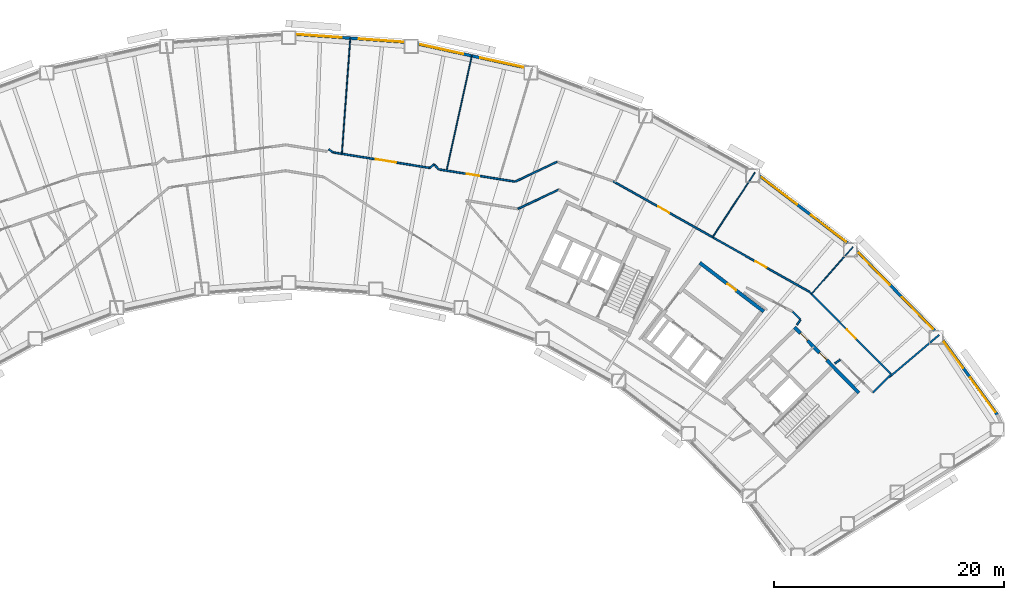
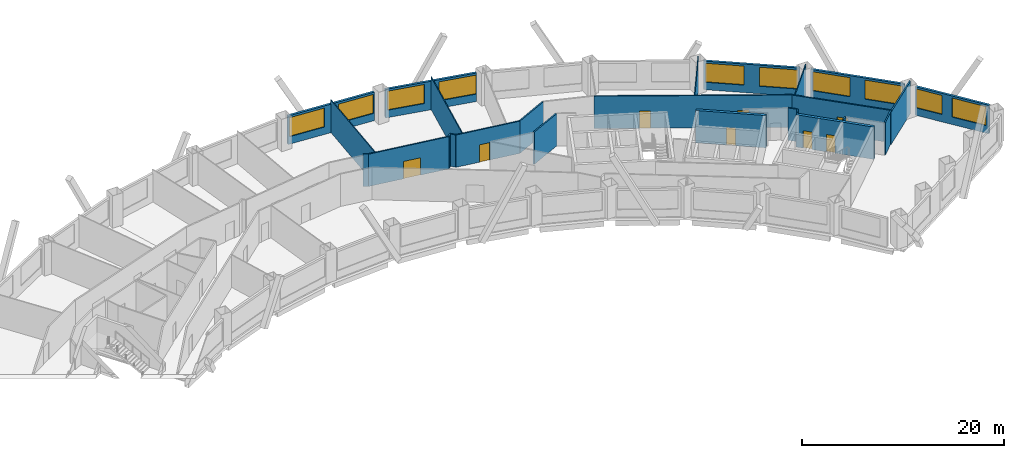
# One storey, part 8 of 12: 25 walls, 10 windows, 8 doors, 18 openings.
"""IFC4 building model written with IfcOpenShell, lengths in metres."""

import ifcopenshell
import ifcopenshell.guid

model = None  # the IFC model being written
_history = None  # IfcOwnerHistory: only IFC2X3 demands one
_inside = {}  # id of a spatial element -> (the spatial element, [elements in it])
_under = {}  # id of a project, library or spatial element -> (it, [spatial elements below it])
_declared = {}  # id of a project -> (the project, [libraries it declares])
_typed = {}  # id of a type object -> (the type object, [elements of that type])
_made_of = {}  # id of a material, layer set ... -> (it, [elements and type objects made of it])


def new_model(schema):
    """Start an empty IFC model of exactly this schema.

    Asked for "IFC4X3", IfcOpenShell would pick the latest addendum, in which some entities
    have other attributes; the version numbers below select the first issue.
    IFC2X3 requires an IfcOwnerHistory on every rooted entity: one is made here for all.
    """
    global model, _history
    if schema == "IFC4X3":
        model = ifcopenshell.file(schema_version=(4, 3, 0, 0))
    else:
        model = ifcopenshell.file(schema=schema)
    _inside.clear()
    _under.clear()
    _declared.clear()
    _typed.clear()
    _made_of.clear()
    _history = None
    if model.schema == "IFC2X3":
        org = make("IfcOrganization", Name="unknown")
        user = make(
            "IfcPersonAndOrganization",
            ThePerson=make("IfcPerson", FamilyName="unknown"),
            TheOrganization=org,
        )
        app = make(
            "IfcApplication",
            ApplicationDeveloper=org,
            Version="unknown",
            ApplicationFullName="unknown",
            ApplicationIdentifier="unknown",
        )
        _history = make(
            "IfcOwnerHistory",
            OwningUser=user,
            OwningApplication=app,
            ChangeAction="ADDED",
            CreationDate=0,
        )
    return model


def make(cls, **values):
    """One entity of the class cls with the attributes given. An attribute that is None is left unset."""
    return model.create_entity(
        cls, **{name: value for name, value in values.items() if value is not None}
    )


def rooted(cls, **values):
    """An entity with a GlobalId (a new one), such as an element, a storey or a relation."""
    return make(cls, GlobalId=ifcopenshell.guid.new(), OwnerHistory=_history, **values)


def si_unit(unit_type, name, prefix=None):
    """IfcSIUnit, for example si_unit("LENGTHUNIT", "METRE", prefix="MILLI")."""
    return make("IfcSIUnit", UnitType=unit_type, Prefix=prefix, Name=name)


def assignment(units):
    """IfcUnitAssignment: the units of a project."""
    return None if units is None else make("IfcUnitAssignment", Units=units)


def point(xyz):
    """IfcCartesianPoint."""
    return None if xyz is None else make("IfcCartesianPoint", Coordinates=xyz)


def direction(xyz):
    """IfcDirection."""
    return None if xyz is None else make("IfcDirection", DirectionRatios=xyz)


def frame(location, z_axis=None, x_axis=None):
    """IfcAxis2Placement3D, a coordinate frame: its origin and axes. An axis left out is left unset."""
    return make(
        "IfcAxis2Placement3D",
        Location=point(location),
        Axis=direction(z_axis),
        RefDirection=direction(x_axis),
    )


def frame_2d(location, x_axis=None):
    """IfcAxis2Placement2D, a coordinate frame in the plane: its origin and x axis."""
    return make(
        "IfcAxis2Placement2D", Location=point(location), RefDirection=direction(x_axis)
    )


def origin():
    """The frame at (0, 0, 0) with its axes left unset."""
    return frame((0.0, 0.0, 0.0))


def place(relative_to, where):
    """IfcLocalPlacement: puts the frame where relative to a parent placement (None: the world)."""
    return make(
        "IfcLocalPlacement", PlacementRelTo=relative_to, RelativePlacement=where
    )


def context(
    kind, dimensions, precision=None, world=None, true_north=None, identifier=None
):
    """IfcGeometricRepresentationContext, for example the 3D "Model" context."""
    return make(
        "IfcGeometricRepresentationContext",
        ContextIdentifier=identifier,
        ContextType=kind,
        CoordinateSpaceDimension=dimensions,
        Precision=precision,
        WorldCoordinateSystem=world,
        TrueNorth=true_north,
    )


def subcontext(parent, identifier, kind, view, scale=None):
    """IfcGeometricRepresentationSubContext, for example "Body" below "Model"."""
    return make(
        "IfcGeometricRepresentationSubContext",
        ContextIdentifier=identifier,
        ContextType=kind,
        ParentContext=parent,
        TargetScale=scale,
        TargetView=view,
    )


def project(units=None, contexts=None):
    """IfcProject with its units and contexts."""
    return rooted(
        "IfcProject",
        Name="project",
        RepresentationContexts=contexts,
        UnitsInContext=assignment(units),
    )


def spatial(cls, under=None, at=None, **own):
    """A site, building, storey or space (cls), placed at a placement, below another one or the project."""
    s = rooted(cls, ObjectPlacement=at, **own)
    if under is not None:
        _under.setdefault(under.id(), (under, []))[1].append(s)
    return s


def profile(cls, at=None, kind="AREA", **sizes):
    """A parametric profile (cls). Its sizes go by their IFC names, for example OverallWidth=200.0."""
    return make(cls, ProfileType=kind, Position=at, **sizes)


def rectangle(**sizes):
    """IfcRectangleProfileDef."""
    return profile("IfcRectangleProfileDef", **sizes)


def extrude(swept, where, along, depth):
    """IfcExtrudedAreaSolid: the profile swept, set in the frame where, extruded along a direction by depth."""
    return make(
        "IfcExtrudedAreaSolid",
        SweptArea=swept,
        Position=where,
        ExtrudedDirection=direction(along),
        Depth=depth,
    )


def shape(context_of_items, identifier, shape_type, items):
    """IfcShapeRepresentation: the items that make up one representation, for example the "Body"."""
    return make(
        "IfcShapeRepresentation",
        ContextOfItems=context_of_items,
        RepresentationIdentifier=identifier,
        RepresentationType=shape_type,
        Items=items,
    )


def material(Name=None, Category=None):
    """IfcMaterial."""
    return make("IfcMaterial", Name=Name, Category=Category)


def layer(
    of_material, thickness, ventilated=None, Name=None, Category=None, Priority=None
):
    """IfcMaterialLayer: one layer of a wall or slab, of a material (None: an air gap)."""
    return make(
        "IfcMaterialLayer",
        Material=of_material,
        LayerThickness=thickness,
        IsVentilated=ventilated,
        Name=Name,
        Category=Category,
        Priority=Priority,
    )


def layer_set(layers, Name=None):
    """IfcMaterialLayerSet."""
    return make("IfcMaterialLayerSet", MaterialLayers=layers, LayerSetName=Name)


def made_of(thing, what):
    """Note that an element or type object is made of a material, layer set ...; save() writes the relation."""
    if what is not None:
        _made_of.setdefault(what.id(), (what, []))[1].append(thing)
    return thing


def type_object(cls, material=None, **own):
    """A type object (cls), such as IfcWallType, which elements share."""
    return made_of(rooted(cls, **own), material)


def element(
    cls,
    number,
    at=None,
    inside=None,
    cuts=None,
    type_object=None,
    material=None,
    context=None,
    identifier="Body",
    shape_type=None,
    held_by="IfcProductDefinitionShape",
    body=None,
    shapes=None,
    **own,
):
    """One element of the class cls, such as IfcWall. Its Tag is "e" and its number.

    at: its placement. inside: the storey or other place that contains it. cuts: it is an
    opening in that element (IfcRelVoidsElement). A single representation is given by context,
    identifier, shape_type and body (its items); several are given by shapes. held_by: the class
    of the entity that holds the representations. save() writes the other relations.
    """
    e = rooted(cls, Tag="e%d" % number, ObjectPlacement=at, **own)
    if body is not None:
        shapes = [shape(context, identifier, shape_type, body)]
    if shapes is not None:
        e.Representation = make(held_by, Representations=shapes)
    if inside is not None:
        _inside.setdefault(inside.id(), (inside, []))[1].append(e)
    if cuts is not None:
        rooted(
            "IfcRelVoidsElement", RelatingBuildingElement=cuts, RelatedOpeningElement=e
        )
    if type_object is not None:
        _typed.setdefault(type_object.id(), (type_object, []))[1].append(e)
    return made_of(e, material)


def fill(opening, filler):
    """IfcRelFillsElement: the door or window that sits in an opening."""
    return rooted(
        "IfcRelFillsElement",
        RelatingOpeningElement=opening,
        RelatedBuildingElement=filler,
    )


def aggregate(whole, parts):
    """IfcRelAggregates: a whole, such as a stair, and the parts it consists of."""
    return rooted("IfcRelAggregates", RelatingObject=whole, RelatedObjects=parts)


def save(model, path):
    """Write the relations noted so far, then the file.

    IfcRelAggregates (storeys below a building ...), IfcRelContainedInSpatialStructure (elements
    in a storey), IfcRelDefinesByType, IfcRelAssociatesMaterial and IfcRelDeclares: one each for
    every whole, place, type object, material and project.
    """
    for whole, parts in _under.values():
        aggregate(whole, parts)
    for where, things in _inside.values():
        rooted(
            "IfcRelContainedInSpatialStructure",
            RelatedElements=things,
            RelatingStructure=where,
        )
    for kind, things in _typed.values():
        rooted("IfcRelDefinesByType", RelatedObjects=things, RelatingType=kind)
    for what, things in _made_of.values():
        rooted("IfcRelAssociatesMaterial", RelatedObjects=things, RelatingMaterial=what)
    for by, libraries in _declared.values():
        rooted("IfcRelDeclares", RelatingContext=by, RelatedDefinitions=libraries)
    model.write(path)


model = new_model("IFC4")

# Units and contexts
model_context = context("Model", 3, precision=1e-05, world=origin(), true_north=direction((0.0, 1.0)))
body_context = subcontext(model_context, "Body", "Model", "MODEL_VIEW")
ifc_project = project(units=[si_unit("LENGTHUNIT", "METRE"), si_unit("AREAUNIT", "SQUARE_METRE"), si_unit("VOLUMEUNIT", "CUBIC_METRE"), si_unit("PLANEANGLEUNIT", "RADIAN"), si_unit("MASSUNIT", "GRAM", prefix="KILO")], contexts=[model_context])

# Site, building, storey
site_placement = place(None, origin())
site = spatial("IfcSite", under=ifc_project, at=site_placement, CompositionType="ELEMENT")
building_placement = place(site_placement, origin())
building = spatial("IfcBuilding", under=site, at=building_placement, Name="Tuul Gate Civic Tower", CompositionType="ELEMENT")
storey_placement = place(building_placement, frame((0.0, 0.0, 82.199951171875)))
storey = spatial("IfcBuildingStorey", under=building, at=storey_placement, Name="Level 18", CompositionType="ELEMENT", Elevation=82.199951171875)

# Wall, openings, doors
ifc_material_1 = material(Name="Concrete C50/60", Category="concrete")
ifc_layer_1 = layer(ifc_material_1, 0.300048828125)
ifc_layer_set_1 = layer_set([ifc_layer_1], Name="Concrete C50/60")
wall_type_1 = type_object("IfcWallType", Name="Core wall C50/60", PredefinedType="SHEAR", material=ifc_layer_set_1)
wall_1_placement = place(storey_placement, frame((54.43798828125, -12.23779296875, 0.0), z_axis=(0.0, 0.0, 1.0), x_axis=(-0.700021979774, 0.714121297703, 0.0)))
wall_1 = element("IfcWall", 1, at=wall_1_placement, inside=storey, type_object=wall_type_1, Name="Core wall", PredefinedType="SHEAR", context=body_context, shape_type="SweptSolid", body=[
    extrude(rectangle(XDim=8.0, YDim=0.300048828125, at=frame_2d((4.0, 0.0))), origin(), (0.0, 0.0, 1.0), 3.900146484375),
])
opening_1_placement = place(wall_1_placement, frame((3.987548828125, 0.0, 0.0)))
opening_1 = element("IfcOpeningElement", 2, at=opening_1_placement, cuts=wall_1, Name="Opening E-D39", PredefinedType="OPENING", context=body_context, shape_type="SweptSolid", body=[
    extrude(rectangle(XDim=0.89990234375, YDim=2.10009765625, at=frame_2d((0.449951171875, 1.050048828125))), frame((0.0, 0.16015625, 0.0), z_axis=(0.0, -1.0, 0.0), x_axis=(1.0, 0.0, 0.0)), (0.0, 0.0, 1.0), 0.320068359375),
])
opening_2_placement = place(wall_1_placement, frame((6.362548828125, 0.0, 0.0)))
opening_2 = element("IfcOpeningElement", 3, at=opening_2_placement, cuts=wall_1, Name="Opening E-D40", PredefinedType="OPENING", context=body_context, shape_type="SweptSolid", body=[
    extrude(rectangle(XDim=0.89990234375, YDim=2.10009765625, at=frame_2d((0.449951171875, 1.050048828125))), frame((0.0, 0.16015625, 0.0), z_axis=(0.0, -1.0, 0.0), x_axis=(1.0, 0.0, 0.0)), (0.0, 0.0, 1.0), 0.320068359375),
])
ifc_material_2 = material(Name="Timber door leaf", Category="wood")
door_type_1 = type_object("IfcDoorType", Name="Door D09", OperationType="NOTDEFINED", PredefinedType="DOOR", material=ifc_material_2)
door_1_placement = place(opening_1_placement, origin())
door_1 = element("IfcDoor", 4, at=door_1_placement, inside=storey, type_object=door_type_1, Name="Door E-D39", OperationType="SINGLE_SWING_LEFT", OverallHeight=2.10009765625, OverallWidth=0.89990234375, PredefinedType="DOOR", context=body_context, shape_type="SweptSolid", body=[
    extrude(rectangle(XDim=0.89990234375, YDim=2.10009765625, at=frame_2d((0.449951171875, 1.050048828125))), frame((0.0, 0.02490234375, 0.0), z_axis=(0.0, -1.0, 0.0), x_axis=(1.0, 0.0, 0.0)), (0.0, 0.0, 1.0), 0.050048828125),
])
fill(opening_1, door_1)
door_2_placement = place(opening_2_placement, origin())
door_2 = element("IfcDoor", 5, at=door_2_placement, inside=storey, type_object=door_type_1, Name="Door E-D40", OperationType="SINGLE_SWING_LEFT", OverallHeight=2.10009765625, OverallWidth=0.89990234375, PredefinedType="DOOR", context=body_context, shape_type="SweptSolid", body=[
    extrude(rectangle(XDim=0.89990234375, YDim=2.10009765625, at=frame_2d((0.449951171875, 1.050048828125))), frame((0.0, 0.02490234375, 0.0), z_axis=(0.0, -1.0, 0.0), x_axis=(1.0, 0.0, 0.0)), (0.0, 0.0, 1.0), 0.050048828125),
])
fill(opening_2, door_2)

# Walls
ifc_material_3 = material(Name="Gypsum board partition")
ifc_layer_2 = layer(ifc_material_3, 0.14990234375)
ifc_layer_set_2 = layer_set([ifc_layer_2], Name="Gypsum board partition")
wall_type_2 = type_object("IfcWallType", Name="Corridor wall P150", PredefinedType="PARTITIONING", material=ifc_layer_set_2)
wall_2_placement = place(storey_placement, frame((57.067626953125, -10.89501953125, 0.0), z_axis=(0.0, 0.0, 1.0), x_axis=(0.762730425935, 0.646716551012, 0.0)))
element("IfcWall", 6, at=wall_2_placement, inside=storey, type_object=wall_type_2, Name="p005", PredefinedType="PARTITIONING", context=body_context, shape_type="SweptSolid", body=[
    extrude(rectangle(XDim=5.721923828125, YDim=0.14990234375, at=frame_2d((2.86083984375, 0.0))), origin(), (0.0, 0.0, 1.0), 3.900146484375),
])
wall_3_placement = place(storey_placement, frame((55.658935546875, -12.204833984375, 0.0), z_axis=(0.0, 0.0, 1.0), x_axis=(0.709706810317, 0.70449715641, 0.0)))
element("IfcWall", 7, at=wall_3_placement, inside=storey, type_object=wall_type_2, Name="p006", PredefinedType="PARTITIONING", context=body_context, shape_type="SweptSolid", body=[
    extrude(rectangle(XDim=2.24951171875, YDim=0.14990234375, at=frame_2d((1.124755859375, 0.0))), origin(), (0.0, 0.0, 1.0), 3.900146484375),
])

# Wall, opening, door
wall_4_placement = place(storey_placement, frame((50.1171875, -3.4287109375, 0.0), z_axis=(0.0, 0.0, 1.0), x_axis=(0.704511742875, -0.709692330628, 0.0)))
wall_4 = element("IfcWall", 8, at=wall_4_placement, inside=storey, type_object=wall_type_2, Name="p007", PredefinedType="PARTITIONING", context=body_context, shape_type="SweptSolid", body=[
    extrude(rectangle(XDim=10.132080078125, YDim=0.14990234375, at=frame_2d((5.06591796875, 0.0))), origin(), (0.0, 0.0, 1.0), 3.900146484375),
])
opening_3_placement = place(wall_4_placement, frame((4.65576171875, 0.0, 0.0)))
opening_3 = element("IfcOpeningElement", 9, at=opening_3_placement, cuts=wall_4, Name="Opening E-D01", PredefinedType="OPENING", context=body_context, shape_type="SweptSolid", body=[
    extrude(rectangle(XDim=1.10009765625, YDim=2.10009765625, at=frame_2d((0.550048828125, 1.050048828125))), frame((0.0, 0.0849609375, 0.0), z_axis=(0.0, -1.0, 0.0), x_axis=(1.0, 0.0, 0.0)), (0.0, 0.0, 1.0), 0.169921875),
])
ifc_material_4 = material(Name="Timber door leaf", Category="wood")
door_type_2 = type_object("IfcDoorType", Name="Door D11", OperationType="NOTDEFINED", PredefinedType="DOOR", material=ifc_material_4)
door_3_placement = place(opening_3_placement, origin())
door_3 = element("IfcDoor", 10, at=door_3_placement, inside=storey, type_object=door_type_2, Name="Door E-D01", OperationType="SINGLE_SWING_RIGHT", OverallHeight=2.10009765625, OverallWidth=1.10009765625, PredefinedType="DOOR", context=body_context, shape_type="SweptSolid", body=[
    extrude(rectangle(XDim=1.10009765625, YDim=2.10009765625, at=frame_2d((0.550048828125, 1.050048828125))), frame((0.0, 0.02490234375, 0.0), z_axis=(0.0, -1.0, 0.0), x_axis=(1.0, 0.0, 0.0)), (0.0, 0.0, 1.0), 0.050048828125),
])
fill(opening_3, door_3)

# Wall, openings, doors
wall_5_placement = place(storey_placement, frame((33.027099609375, 6.202392578125, 0.0), z_axis=(0.0, 0.0, 1.0), x_axis=(0.871189375321, -0.490947117649, 0.0)))
wall_5 = element("IfcWall", 11, at=wall_5_placement, inside=storey, type_object=wall_type_2, Name="p010", PredefinedType="PARTITIONING", context=body_context, shape_type="SweptSolid", body=[
    extrude(rectangle(XDim=19.616455078125, YDim=0.14990234375, at=frame_2d((9.80810546875, 0.0))), origin(), (0.0, 0.0, 1.0), 3.900146484375),
])
opening_4_placement = place(wall_5_placement, frame((14.237548828125, 0.0, 0.0)))
opening_4 = element("IfcOpeningElement", 12, at=opening_4_placement, cuts=wall_5, Name="Opening E-D02", PredefinedType="OPENING", context=body_context, shape_type="SweptSolid", body=[
    extrude(rectangle(XDim=1.10009765625, YDim=2.10009765625, at=frame_2d((0.550048828125, 1.050048828125))), frame((0.0, 0.0849609375, 0.0), z_axis=(0.0, -1.0, 0.0), x_axis=(1.0, 0.0, 0.0)), (0.0, 0.0, 1.0), 0.169921875),
])
opening_5_placement = place(wall_5_placement, frame((4.53125, 0.0, 0.0)))
opening_5 = element("IfcOpeningElement", 13, at=opening_5_placement, cuts=wall_5, Name="Opening E-D03", PredefinedType="OPENING", context=body_context, shape_type="SweptSolid", body=[
    extrude(rectangle(XDim=1.10009765625, YDim=2.10009765625, at=frame_2d((0.550048828125, 1.050048828125))), frame((0.0, 0.0849609375, 0.0), z_axis=(0.0, -1.0, 0.0), x_axis=(1.0, 0.0, 0.0)), (0.0, 0.0, 1.0), 0.169921875),
])
door_4_placement = place(opening_4_placement, origin())
door_4 = element("IfcDoor", 14, at=door_4_placement, inside=storey, type_object=door_type_2, Name="Door E-D02", OperationType="SINGLE_SWING_RIGHT", OverallHeight=2.10009765625, OverallWidth=1.10009765625, PredefinedType="DOOR", context=body_context, shape_type="SweptSolid", body=[
    extrude(rectangle(XDim=1.10009765625, YDim=2.10009765625, at=frame_2d((0.550048828125, 1.050048828125))), frame((0.0, 0.02490234375, 0.0), z_axis=(0.0, -1.0, 0.0), x_axis=(1.0, 0.0, 0.0)), (0.0, 0.0, 1.0), 0.050048828125),
])
fill(opening_4, door_4)
door_5_placement = place(opening_5_placement, origin())
door_5 = element("IfcDoor", 15, at=door_5_placement, inside=storey, type_object=door_type_2, Name="Door E-D03", OperationType="SINGLE_SWING_RIGHT", OverallHeight=2.10009765625, OverallWidth=1.10009765625, PredefinedType="DOOR", context=body_context, shape_type="SweptSolid", body=[
    extrude(rectangle(XDim=1.10009765625, YDim=2.10009765625, at=frame_2d((0.550048828125, 1.050048828125))), frame((0.0, 0.02490234375, 0.0), z_axis=(0.0, -1.0, 0.0), x_axis=(1.0, 0.0, 0.0)), (0.0, 0.0, 1.0), 0.050048828125),
])
fill(opening_5, door_5)

# Wall
wall_6_placement = place(storey_placement, frame((24.51611328125, 6.15673828125, 0.0), z_axis=(0.0, 0.0, 1.0), x_axis=(0.904110153065, 0.427299463051, 0.0)))
element("IfcWall", 16, at=wall_6_placement, inside=storey, type_object=wall_type_2, Name="p014", PredefinedType="PARTITIONING", context=body_context, shape_type="SweptSolid", body=[
    extrude(rectangle(XDim=4.028564453125, YDim=0.14990234375, at=frame_2d((2.01416015625, 0.0))), origin(), (0.0, 0.0, 1.0), 3.900146484375),
])

# Wall, opening, door
wall_7_placement = place(storey_placement, frame((8.696044921875, 8.693115234375, 0.0), z_axis=(0.0, 0.0, 1.0), x_axis=(0.987354667713, -0.158526843613, 0.0)))
wall_7 = element("IfcWall", 17, at=wall_7_placement, inside=storey, type_object=wall_type_2, Name="p016", PredefinedType="PARTITIONING", context=body_context, shape_type="SweptSolid", body=[
    extrude(rectangle(XDim=8.48583984375, YDim=0.14990234375, at=frame_2d((4.242919921875, 0.0))), origin(), (0.0, 0.0, 1.0), 3.900146484375),
])
opening_6_placement = place(wall_7_placement, frame((3.713134765625, 0.0, 0.0)))
opening_6 = element("IfcOpeningElement", 18, at=opening_6_placement, cuts=wall_7, Name="Opening E-D06", PredefinedType="OPENING", context=body_context, shape_type="SweptSolid", body=[
    extrude(rectangle(XDim=1.800048828125, YDim=2.10009765625, at=frame_2d((0.89990234375, 1.050048828125))), frame((0.0, 0.0849609375, 0.0), z_axis=(0.0, -1.0, 0.0), x_axis=(1.0, 0.0, 0.0)), (0.0, 0.0, 1.0), 0.169921875),
])
ifc_material_5 = material(Name="Timber door leaf, double", Category="wood")
door_type_3 = type_object("IfcDoorType", Name="Door D18", OperationType="DOUBLE_DOOR_SINGLE_SWING", PredefinedType="DOOR", material=ifc_material_5)
door_6_placement = place(opening_6_placement, origin())
door_6 = element("IfcDoor", 19, at=door_6_placement, inside=storey, type_object=door_type_3, Name="Door E-D06", OperationType="DOUBLE_DOOR_SINGLE_SWING", OverallHeight=2.10009765625, OverallWidth=1.800048828125, PredefinedType="DOOR", context=body_context, shape_type="SweptSolid", body=[
    extrude(rectangle(XDim=1.800048828125, YDim=2.10009765625, at=frame_2d((0.89990234375, 1.050048828125))), frame((0.0, 0.02490234375, 0.0), z_axis=(0.0, -1.0, 0.0), x_axis=(1.0, 0.0, 0.0)), (0.0, 0.0, 1.0), 0.050048828125),
])
fill(opening_6, door_6)

wall_8_placement = place(storey_placement, frame((17.852294921875, 7.222900390625, 0.0), z_axis=(0.0, 0.0, 1.0), x_axis=(0.987357729875, -0.158507770332, 0.0)))
wall_8 = element("IfcWall", 20, at=wall_8_placement, inside=storey, type_object=wall_type_2, Name="p017", PredefinedType="PARTITIONING", context=body_context, shape_type="SweptSolid", body=[
    extrude(rectangle(XDim=6.737060546875, YDim=0.14990234375, at=frame_2d((3.36865234375, 0.0))), origin(), (0.0, 0.0, 1.0), 3.900146484375),
])
opening_7_placement = place(wall_8_placement, frame((2.47021484375, 0.0, 0.0)))
opening_7 = element("IfcOpeningElement", 21, at=opening_7_placement, cuts=wall_8, Name="Opening E-D05", PredefinedType="OPENING", context=body_context, shape_type="SweptSolid", body=[
    extrude(rectangle(XDim=1.10009765625, YDim=2.10009765625, at=frame_2d((0.550048828125, 1.050048828125))), frame((0.0, 0.0849609375, 0.0), z_axis=(0.0, -1.0, 0.0), x_axis=(1.0, 0.0, 0.0)), (0.0, 0.0, 1.0), 0.169921875),
])
door_7_placement = place(opening_7_placement, origin())
door_7 = element("IfcDoor", 22, at=door_7_placement, inside=storey, type_object=door_type_2, Name="Door E-D05", OperationType="SINGLE_SWING_RIGHT", OverallHeight=2.10009765625, OverallWidth=1.10009765625, PredefinedType="DOOR", context=body_context, shape_type="SweptSolid", body=[
    extrude(rectangle(XDim=1.10009765625, YDim=2.10009765625, at=frame_2d((0.550048828125, 1.050048828125))), frame((0.0, 0.02490234375, 0.0), z_axis=(0.0, -1.0, 0.0), x_axis=(1.0, 0.0, 0.0)), (0.0, 0.0, 1.0), 0.050048828125),
])
fill(opening_7, door_7)

# Walls
wall_9_placement = place(storey_placement, frame((17.457275390625, 7.67041015625, 0.0), z_axis=(0.0, 0.0, 1.0), x_axis=(0.65604412912, -0.754722532225, 0.0)))
element("IfcWall", 23, at=wall_9_placement, inside=storey, type_object=wall_type_2, Name="p020", PredefinedType="PARTITIONING", context=body_context, shape_type="SweptSolid", body=[
    extrude(rectangle(XDim=0.583984375, YDim=0.14990234375, at=frame_2d((0.2919921875, 0.0))), origin(), (0.0, 0.0, 1.0), 3.900146484375),
])
wall_10_placement = place(storey_placement, frame((17.090576171875, 7.3525390625, 0.0), z_axis=(0.0, 0.0, 1.0), x_axis=(0.754724742006, 0.656041586947, 0.0)))
element("IfcWall", 24, at=wall_10_placement, inside=storey, type_object=wall_type_2, Name="p022", PredefinedType="PARTITIONING", context=body_context, shape_type="SweptSolid", body=[
    extrude(rectangle(XDim=0.48486328125, YDim=0.14990234375, at=frame_2d((0.242431640625, 0.0))), origin(), (0.0, 0.0, 1.0), 3.900146484375),
])
wall_11_placement = place(storey_placement, frame((8.266357421875, 8.96728515625, 0.0), z_axis=(0.0, 0.0, 1.0), x_axis=(0.841289122959, -0.540585434128, 0.0)))
element("IfcWall", 25, at=wall_11_placement, inside=storey, type_object=wall_type_2, Name="p024", PredefinedType="PARTITIONING", context=body_context, shape_type="SweptSolid", body=[
    extrude(rectangle(XDim=0.501708984375, YDim=0.14990234375, at=frame_2d((0.2509765625, 0.0))), origin(), (0.0, 0.0, 1.0), 3.900146484375),
])
wall_12_placement = place(storey_placement, frame((48.674560546875, -5.169189453125, 0.0), z_axis=(0.0, 0.0, 1.0), x_axis=(0.704658506308, -0.709546608397, 0.0)))
element("IfcWall", 26, at=wall_12_placement, inside=storey, type_object=wall_type_2, Name="p063", PredefinedType="PARTITIONING", context=body_context, shape_type="SweptSolid", body=[
    extrude(rectangle(XDim=0.948974609375, YDim=0.14990234375, at=frame_2d((0.474609375, 0.0))), origin(), (0.0, 0.0, 1.0), 3.900146484375),
])
wall_13_placement = place(storey_placement, frame((49.0537109375, -6.31591796875, 0.0), z_axis=(0.0, 0.0, 1.0), x_axis=(0.545822225039, 0.837901007669, 0.0)))
element("IfcWall", 27, at=wall_13_placement, inside=storey, type_object=wall_type_2, Name="p065", PredefinedType="PARTITIONING", context=body_context, shape_type="SweptSolid", body=[
    extrude(rectangle(XDim=0.534912109375, YDim=0.14990234375, at=frame_2d((0.267578125, 0.0))), origin(), (0.0, 0.0, 1.0), 3.900146484375),
])
wall_14_placement = place(storey_placement, frame((24.75048828125, 3.77880859375, 0.0), z_axis=(0.0, 0.0, 1.0), x_axis=(0.904105184288, 0.427309976181, 0.0)))
element("IfcWall", 28, at=wall_14_placement, inside=storey, type_object=wall_type_2, Name="p066", PredefinedType="PARTITIONING", context=body_context, shape_type="SweptSolid", body=[
    extrude(rectangle(XDim=3.907470703125, YDim=0.14990234375, at=frame_2d((1.95361328125, 0.0))), origin(), (0.0, 0.0, 1.0), 3.900146484375),
])
wall_15_placement = place(storey_placement, frame((52.35302734375, -9.6826171875, 0.0), z_axis=(0.0, 0.0, 1.0), x_axis=(0.798049971069, 0.602591274146, 0.0)))
element("IfcWall", 29, at=wall_15_placement, inside=storey, type_object=wall_type_2, Name="p082", PredefinedType="PARTITIONING", context=body_context, shape_type="SweptSolid", body=[
    extrude(rectangle(XDim=0.55712890625, YDim=0.14990234375, at=frame_2d((0.278564453125, 0.0))), origin(), (0.0, 0.0, 1.0), 3.900146484375),
])

# Wall, openings, windows
ifc_material_6 = material(Name="Precast concrete C40/50", Category="concrete")
ifc_layer_3 = layer(ifc_material_6, 0.25)
ifc_layer_set_3 = layer_set([ifc_layer_3], Name="Precast concrete C40/50")
wall_type_3 = type_object("IfcWallType", Name="External wall", PredefinedType="STANDARD", material=ifc_layer_set_3)
wall_16_placement = place(storey_placement, frame((66.498046875, -14.138671875, 0.0), z_axis=(0.0, 0.0, 1.0), x_axis=(-0.589838269776, 0.807521402508, 0.0)))
wall_16 = element("IfcWall", 30, at=wall_16_placement, inside=storey, type_object=wall_type_3, Name="External wall", PredefinedType="STANDARD", context=body_context, shape_type="SweptSolid", body=[
    extrude(rectangle(XDim=7.998779296875, YDim=0.25, at=frame_2d((3.99951171875, 0.0))), origin(), (0.0, 0.0, 1.0), 3.449951171875),
])
opening_8_placement = place(wall_16_placement, frame((0.301025390625, 0.0, 0.89990234375)))
opening_8 = element("IfcOpeningElement", 31, at=opening_8_placement, cuts=wall_16, Name="Opening W21", PredefinedType="OPENING", context=body_context, shape_type="SweptSolid", body=[
    extrude(rectangle(XDim=3.699951171875, YDim=2.300048828125, at=frame_2d((1.85009765625, 1.14990234375))), frame((0.0, 0.135009765625, 0.0), z_axis=(0.0, -1.0, 0.0), x_axis=(1.0, 0.0, 0.0)), (0.0, 0.0, 1.0), 0.27001953125),
])
opening_9_placement = place(wall_16_placement, frame((5.052978515625, 0.0, 0.89990234375)))
opening_9 = element("IfcOpeningElement", 32, at=opening_9_placement, cuts=wall_16, Name="Opening W23", PredefinedType="OPENING", context=body_context, shape_type="SweptSolid", body=[
    extrude(rectangle(XDim=2.800048828125, YDim=2.300048828125, at=frame_2d((1.39990234375, 1.14990234375))), frame((0.0, 0.135009765625, 0.0), z_axis=(0.0, -1.0, 0.0), x_axis=(1.0, 0.0, 0.0)), (0.0, 0.0, 1.0), 0.27001953125),
])
ifc_material_7 = material(Name="Glass", Category="glass")
window_type_1 = type_object("IfcWindowType", Name="Window W21 3700 x 2300", PartitioningType="SINGLE_PANEL", PredefinedType="WINDOW", material=ifc_material_7)
window_1_placement = place(opening_8_placement, origin())
window_1 = element("IfcWindow", 33, at=window_1_placement, inside=storey, type_object=window_type_1, Name="Window", OverallHeight=2.300048828125, OverallWidth=3.699951171875, PartitioningType="SINGLE_PANEL", PredefinedType="WINDOW", context=body_context, shape_type="SweptSolid", body=[
    extrude(rectangle(XDim=3.699951171875, YDim=2.300048828125, at=frame_2d((1.85009765625, 1.14990234375))), frame((0.0, 0.030029296875, 0.0), z_axis=(0.0, -1.0, 0.0), x_axis=(1.0, 0.0, 0.0)), (0.0, 0.0, 1.0), 0.06005859375),
])
fill(opening_8, window_1)
ifc_material_8 = material(Name="Glass", Category="glass")
window_type_2 = type_object("IfcWindowType", Name="Window W23 2800 x 2300", PartitioningType="SINGLE_PANEL", PredefinedType="WINDOW", material=ifc_material_8)
window_2_placement = place(opening_9_placement, origin())
window_2 = element("IfcWindow", 34, at=window_2_placement, inside=storey, type_object=window_type_2, Name="Window", OverallHeight=2.300048828125, OverallWidth=2.800048828125, PartitioningType="SINGLE_PANEL", PredefinedType="WINDOW", context=body_context, shape_type="SweptSolid", body=[
    extrude(rectangle(XDim=2.800048828125, YDim=2.300048828125, at=frame_2d((1.39990234375, 1.14990234375))), frame((0.0, 0.030029296875, 0.0), z_axis=(0.0, -1.0, 0.0), x_axis=(1.0, 0.0, 0.0)), (0.0, 0.0, 1.0), 0.06005859375),
])
fill(opening_9, window_2)

wall_17_placement = place(storey_placement, frame((61.047119140625, -6.80908203125, 0.0), z_axis=(0.0, 0.0, 1.0), x_axis=(-0.700049104252, 0.714094707749, 0.0)))
wall_17 = element("IfcWall", 35, at=wall_17_placement, inside=storey, type_object=wall_type_3, Name="External wall", PredefinedType="STANDARD", context=body_context, shape_type="SweptSolid", body=[
    extrude(rectangle(XDim=9.629638671875, YDim=0.25, at=frame_2d((4.81494140625, 0.0))), origin(), (0.0, 0.0, 1.0), 3.449951171875),
])
opening_10_placement = place(wall_17_placement, frame((0.206787109375, 0.0, 0.89990234375)))
opening_10 = element("IfcOpeningElement", 36, at=opening_10_placement, cuts=wall_17, Name="Opening W22", PredefinedType="OPENING", context=body_context, shape_type="SweptSolid", body=[
    extrude(rectangle(XDim=3.85009765625, YDim=2.300048828125, at=frame_2d((1.925048828125, 1.14990234375))), frame((0.0, 0.135009765625, 0.0), z_axis=(0.0, -1.0, 0.0), x_axis=(1.0, 0.0, 0.0)), (0.0, 0.0, 1.0), 0.27001953125),
])
opening_11_placement = place(wall_17_placement, frame((5.577880859375, 0.0, 0.89990234375)))
opening_11 = element("IfcOpeningElement", 37, at=opening_11_placement, cuts=wall_17, Name="Opening W22", PredefinedType="OPENING", context=body_context, shape_type="SweptSolid", body=[
    extrude(rectangle(XDim=3.85009765625, YDim=2.300048828125, at=frame_2d((1.925048828125, 1.14990234375))), frame((0.0, 0.135009765625, 0.0), z_axis=(0.0, -1.0, 0.0), x_axis=(1.0, 0.0, 0.0)), (0.0, 0.0, 1.0), 0.27001953125),
])
ifc_material_9 = material(Name="Glass", Category="glass")
window_type_3 = type_object("IfcWindowType", Name="Window W22 3850 x 2300", PartitioningType="SINGLE_PANEL", PredefinedType="WINDOW", material=ifc_material_9)
window_3_placement = place(opening_10_placement, origin())
window_3 = element("IfcWindow", 38, at=window_3_placement, inside=storey, type_object=window_type_3, Name="Window", OverallHeight=2.300048828125, OverallWidth=3.85009765625, PartitioningType="SINGLE_PANEL", PredefinedType="WINDOW", context=body_context, shape_type="SweptSolid", body=[
    extrude(rectangle(XDim=3.85009765625, YDim=2.300048828125, at=frame_2d((1.925048828125, 1.14990234375))), frame((0.0, 0.030029296875, 0.0), z_axis=(0.0, -1.0, 0.0), x_axis=(1.0, 0.0, 0.0)), (0.0, 0.0, 1.0), 0.06005859375),
])
fill(opening_10, window_3)
window_4_placement = place(opening_11_placement, origin())
window_4 = element("IfcWindow", 39, at=window_4_placement, inside=storey, type_object=window_type_3, Name="Window", OverallHeight=2.300048828125, OverallWidth=3.85009765625, PartitioningType="SINGLE_PANEL", PredefinedType="WINDOW", context=body_context, shape_type="SweptSolid", body=[
    extrude(rectangle(XDim=3.85009765625, YDim=2.300048828125, at=frame_2d((1.925048828125, 1.14990234375))), frame((0.0, 0.030029296875, 0.0), z_axis=(0.0, -1.0, 0.0), x_axis=(1.0, 0.0, 0.0)), (0.0, 0.0, 1.0), 0.06005859375),
])
fill(opening_11, window_4)

wall_18_placement = place(storey_placement, frame((53.45361328125, 0.81591796875, 0.0), z_axis=(0.0, 0.0, 1.0), x_axis=(-0.795611381341, 0.605807337262, 0.0)))
wall_18 = element("IfcWall", 40, at=wall_18_placement, inside=storey, type_object=wall_type_3, Name="External wall", PredefinedType="STANDARD", context=body_context, shape_type="SweptSolid", body=[
    extrude(rectangle(XDim=9.60595703125, YDim=0.25, at=frame_2d((4.802978515625, 0.0))), origin(), (0.0, 0.0, 1.0), 3.449951171875),
])
opening_12_placement = place(wall_18_placement, frame((0.1640625, 0.0, 0.89990234375)))
opening_12 = element("IfcOpeningElement", 41, at=opening_12_placement, cuts=wall_18, Name="Opening W22", PredefinedType="OPENING", context=body_context, shape_type="SweptSolid", body=[
    extrude(rectangle(XDim=3.85009765625, YDim=2.300048828125, at=frame_2d((1.925048828125, 1.14990234375))), frame((0.0, 0.135009765625, 0.0), z_axis=(0.0, -1.0, 0.0), x_axis=(1.0, 0.0, 0.0)), (0.0, 0.0, 1.0), 0.27001953125),
])
opening_13_placement = place(wall_18_placement, frame((5.535400390625, 0.0, 0.89990234375)))
opening_13 = element("IfcOpeningElement", 42, at=opening_13_placement, cuts=wall_18, Name="Opening W22", PredefinedType="OPENING", context=body_context, shape_type="SweptSolid", body=[
    extrude(rectangle(XDim=3.85009765625, YDim=2.300048828125, at=frame_2d((1.925048828125, 1.14990234375))), frame((0.0, 0.135009765625, 0.0), z_axis=(0.0, -1.0, 0.0), x_axis=(1.0, 0.0, 0.0)), (0.0, 0.0, 1.0), 0.27001953125),
])
window_5_placement = place(opening_12_placement, origin())
window_5 = element("IfcWindow", 43, at=window_5_placement, inside=storey, type_object=window_type_3, Name="Window", OverallHeight=2.300048828125, OverallWidth=3.85009765625, PartitioningType="SINGLE_PANEL", PredefinedType="WINDOW", context=body_context, shape_type="SweptSolid", body=[
    extrude(rectangle(XDim=3.85009765625, YDim=2.300048828125, at=frame_2d((1.925048828125, 1.14990234375))), frame((0.0, 0.030029296875, 0.0), z_axis=(0.0, -1.0, 0.0), x_axis=(1.0, 0.0, 0.0)), (0.0, 0.0, 1.0), 0.06005859375),
])
fill(opening_12, window_5)
window_6_placement = place(opening_13_placement, origin())
window_6 = element("IfcWindow", 44, at=window_6_placement, inside=storey, type_object=window_type_3, Name="Window", OverallHeight=2.300048828125, OverallWidth=3.85009765625, PartitioningType="SINGLE_PANEL", PredefinedType="WINDOW", context=body_context, shape_type="SweptSolid", body=[
    extrude(rectangle(XDim=3.85009765625, YDim=2.300048828125, at=frame_2d((1.925048828125, 1.14990234375))), frame((0.0, 0.030029296875, 0.0), z_axis=(0.0, -1.0, 0.0), x_axis=(1.0, 0.0, 0.0)), (0.0, 0.0, 1.0), 0.06005859375),
])
fill(opening_13, window_6)

wall_19_placement = place(storey_placement, frame((25.284912109375, 16.1025390625, 0.0), z_axis=(0.0, 0.0, 1.0), x_axis=(-0.976565560321, 0.215220134732, 0.0)))
wall_19 = element("IfcWall", 45, at=wall_19_placement, inside=storey, type_object=wall_type_3, Name="External wall", PredefinedType="STANDARD", context=body_context, shape_type="SweptSolid", body=[
    extrude(rectangle(XDim=9.4482421875, YDim=0.25, at=frame_2d((4.72412109375, 0.0))), origin(), (0.0, 0.0, 1.0), 3.449951171875),
])
opening_14_placement = place(wall_19_placement, frame((0.041748046875, 0.0, 0.89990234375)))
opening_14 = element("IfcOpeningElement", 46, at=opening_14_placement, cuts=wall_19, Name="Opening W22", PredefinedType="OPENING", context=body_context, shape_type="SweptSolid", body=[
    extrude(rectangle(XDim=3.85009765625, YDim=2.300048828125, at=frame_2d((1.925048828125, 1.14990234375))), frame((0.0, 0.135009765625, 0.0), z_axis=(0.0, -1.0, 0.0), x_axis=(1.0, 0.0, 0.0)), (0.0, 0.0, 1.0), 0.27001953125),
])
opening_15_placement = place(wall_19_placement, frame((5.4130859375, 0.0, 0.89990234375)))
opening_15 = element("IfcOpeningElement", 47, at=opening_15_placement, cuts=wall_19, Name="Opening W22", PredefinedType="OPENING", context=body_context, shape_type="SweptSolid", body=[
    extrude(rectangle(XDim=3.85009765625, YDim=2.300048828125, at=frame_2d((1.925048828125, 1.14990234375))), frame((0.0, 0.135009765625, 0.0), z_axis=(0.0, -1.0, 0.0), x_axis=(1.0, 0.0, 0.0)), (0.0, 0.0, 1.0), 0.27001953125),
])
window_7_placement = place(opening_14_placement, origin())
window_7 = element("IfcWindow", 48, at=window_7_placement, inside=storey, type_object=window_type_3, Name="Window", OverallHeight=2.300048828125, OverallWidth=3.85009765625, PartitioningType="SINGLE_PANEL", PredefinedType="WINDOW", context=body_context, shape_type="SweptSolid", body=[
    extrude(rectangle(XDim=3.85009765625, YDim=2.300048828125, at=frame_2d((1.925048828125, 1.14990234375))), frame((0.0, 0.030029296875, 0.0), z_axis=(0.0, -1.0, 0.0), x_axis=(1.0, 0.0, 0.0)), (0.0, 0.0, 1.0), 0.06005859375),
])
fill(opening_14, window_7)
window_8_placement = place(opening_15_placement, origin())
window_8 = element("IfcWindow", 49, at=window_8_placement, inside=storey, type_object=window_type_3, Name="Window", OverallHeight=2.300048828125, OverallWidth=3.85009765625, PartitioningType="SINGLE_PANEL", PredefinedType="WINDOW", context=body_context, shape_type="SweptSolid", body=[
    extrude(rectangle(XDim=3.85009765625, YDim=2.300048828125, at=frame_2d((1.925048828125, 1.14990234375))), frame((0.0, 0.030029296875, 0.0), z_axis=(0.0, -1.0, 0.0), x_axis=(1.0, 0.0, 0.0)), (0.0, 0.0, 1.0), 0.06005859375),
])
fill(opening_15, window_8)

wall_20_placement = place(storey_placement, frame((14.85791015625, 18.304931640625, 0.0), z_axis=(0.0, 0.0, 1.0), x_axis=(-0.997388240585, 0.072226709338, 0.0)))
wall_20 = element("IfcWall", 50, at=wall_20_placement, inside=storey, type_object=wall_type_3, Name="External wall", PredefinedType="STANDARD", context=body_context, shape_type="SweptSolid", body=[
    extrude(rectangle(XDim=9.474609375, YDim=0.25, at=frame_2d((4.7373046875, 0.0))), origin(), (0.0, 0.0, 1.0), 3.449951171875),
])
opening_16_placement = place(wall_20_placement, frame((0.10302734375, 0.0, 0.89990234375)))
opening_16 = element("IfcOpeningElement", 51, at=opening_16_placement, cuts=wall_20, Name="Opening W22", PredefinedType="OPENING", context=body_context, shape_type="SweptSolid", body=[
    extrude(rectangle(XDim=3.85009765625, YDim=2.300048828125, at=frame_2d((1.925048828125, 1.14990234375))), frame((0.0, 0.135009765625, 0.0), z_axis=(0.0, -1.0, 0.0), x_axis=(1.0, 0.0, 0.0)), (0.0, 0.0, 1.0), 0.27001953125),
])
opening_17_placement = place(wall_20_placement, frame((5.474609375, 0.0, 0.89990234375)))
opening_17 = element("IfcOpeningElement", 52, at=opening_17_placement, cuts=wall_20, Name="Opening W22", PredefinedType="OPENING", context=body_context, shape_type="SweptSolid", body=[
    extrude(rectangle(XDim=3.85009765625, YDim=2.300048828125, at=frame_2d((1.925048828125, 1.14990234375))), frame((0.0, 0.135009765625, 0.0), z_axis=(0.0, -1.0, 0.0), x_axis=(1.0, 0.0, 0.0)), (0.0, 0.0, 1.0), 0.27001953125),
])
window_9_placement = place(opening_16_placement, origin())
window_9 = element("IfcWindow", 53, at=window_9_placement, inside=storey, type_object=window_type_3, Name="Window", OverallHeight=2.300048828125, OverallWidth=3.85009765625, PartitioningType="SINGLE_PANEL", PredefinedType="WINDOW", context=body_context, shape_type="SweptSolid", body=[
    extrude(rectangle(XDim=3.85009765625, YDim=2.300048828125, at=frame_2d((1.925048828125, 1.14990234375))), frame((0.0, 0.030029296875, 0.0), z_axis=(0.0, -1.0, 0.0), x_axis=(1.0, 0.0, 0.0)), (0.0, 0.0, 1.0), 0.06005859375),
])
fill(opening_16, window_9)
window_10_placement = place(opening_17_placement, origin())
window_10 = element("IfcWindow", 54, at=window_10_placement, inside=storey, type_object=window_type_3, Name="Window", OverallHeight=2.300048828125, OverallWidth=3.85009765625, PartitioningType="SINGLE_PANEL", PredefinedType="WINDOW", context=body_context, shape_type="SweptSolid", body=[
    extrude(rectangle(XDim=3.85009765625, YDim=2.300048828125, at=frame_2d((1.925048828125, 1.14990234375))), frame((0.0, 0.030029296875, 0.0), z_axis=(0.0, -1.0, 0.0), x_axis=(1.0, 0.0, 0.0)), (0.0, 0.0, 1.0), 0.06005859375),
])
fill(opening_17, window_10)

# Wall, opening, door
ifc_material_10 = material(Name="Concrete C40/50", Category="concrete")
ifc_layer_4 = layer(ifc_material_10, 0.300048828125)
ifc_layer_set_4 = layer_set([ifc_layer_4], Name="Concrete C40/50")
wall_type_4 = type_object("IfcWallType", Name="Lift shaft wall C40/50", PredefinedType="STANDARD", material=ifc_layer_set_4)
wall_21_placement = place(storey_placement, frame((46.1591796875, -5.1533203125, 0.0), z_axis=(0.0, 0.0, 1.0), x_axis=(-0.795579811045, 0.605848796531, 0.0)))
wall_21 = element("IfcWall", 55, at=wall_21_placement, inside=storey, type_object=wall_type_4, Name="Shaft wall", PredefinedType="STANDARD", context=body_context, shape_type="SweptSolid", body=[
    extrude(rectangle(XDim=7.0, YDim=0.300048828125, at=frame_2d((3.5, 0.0))), origin(), (0.0, 0.0, 1.0), 3.900146484375),
])
opening_18_placement = place(wall_21_placement, frame((3.050048828125, 0.0, 0.0)))
opening_18 = element("IfcOpeningElement", 56, at=opening_18_placement, cuts=wall_21, Name="Opening E-D38", PredefinedType="OPENING", context=body_context, shape_type="SweptSolid", body=[
    extrude(rectangle(XDim=0.89990234375, YDim=2.10009765625, at=frame_2d((0.449951171875, 1.050048828125))), frame((0.0, 0.16015625, 0.0), z_axis=(0.0, -1.0, 0.0), x_axis=(1.0, 0.0, 0.0)), (0.0, 0.0, 1.0), 0.320068359375),
])
door_8_placement = place(opening_18_placement, origin())
door_8 = element("IfcDoor", 57, at=door_8_placement, inside=storey, type_object=door_type_1, Name="Door E-D38", OperationType="SINGLE_SWING_LEFT", OverallHeight=2.10009765625, OverallWidth=0.89990234375, PredefinedType="DOOR", context=body_context, shape_type="SweptSolid", body=[
    extrude(rectangle(XDim=0.89990234375, YDim=2.10009765625, at=frame_2d((0.449951171875, 1.050048828125))), frame((0.0, 0.02490234375, 0.0), z_axis=(0.0, -1.0, 0.0), x_axis=(1.0, 0.0, 0.0)), (0.0, 0.0, 1.0), 0.050048828125),
])
fill(opening_18, door_8)

# Walls
ifc_material_11 = material(Name="Gypsum board partition")
ifc_layer_5 = layer(ifc_material_11, 0.10009765625)
ifc_layer_set_5 = layer_set([ifc_layer_5], Name="Gypsum board partition")
wall_type_5 = type_object("IfcWallType", Name="Partition P100", PredefinedType="PARTITIONING", material=ifc_layer_set_5)
wall_22_placement = place(storey_placement, frame((50.314208984375, -3.627197265625, 0.0), z_axis=(0.0, 0.0, 1.0), x_axis=(0.661704508988, 0.749764724953, 0.0)))
element("IfcWall", 58, at=wall_22_placement, inside=storey, type_object=wall_type_5, Name="p001", PredefinedType="PARTITIONING", context=body_context, shape_type="SweptSolid", body=[
    extrude(rectangle(XDim=5.4560546875, YDim=0.10009765625, at=frame_2d((2.72802734375, 0.0))), origin(), (0.0, 0.0, 1.0), 3.900146484375),
])
wall_23_placement = place(storey_placement, frame((41.70361328125, 1.31298828125, 0.0), z_axis=(0.0, 0.0, 1.0), x_axis=(0.546723657704, 0.837313108763, 0.0)))
element("IfcWall", 59, at=wall_23_placement, inside=storey, type_object=wall_type_5, Name="p009", PredefinedType="PARTITIONING", context=body_context, shape_type="SweptSolid", body=[
    extrude(rectangle(XDim=6.74560546875, YDim=0.10009765625, at=frame_2d((3.372802734375, 0.0))), origin(), (0.0, 0.0, 1.0), 3.900146484375),
])
wall_24_placement = place(storey_placement, frame((18.539306640625, 7.11279296875, 0.0), z_axis=(0.0, 0.0, 1.0), x_axis=(0.215233048394, 0.976562714258, 0.0)))
element("IfcWall", 60, at=wall_24_placement, inside=storey, type_object=wall_type_5, Name="p018", PredefinedType="PARTITIONING", context=body_context, shape_type="SweptSolid", body=[
    extrude(rectangle(XDim=10.236083984375, YDim=0.10009765625, at=frame_2d((5.1181640625, 0.0))), origin(), (0.0, 0.0, 1.0), 3.900146484375),
])
wall_25_placement = place(storey_placement, frame((9.42724609375, 8.57568359375, 0.0), z_axis=(0.0, 0.0, 1.0), x_axis=(0.072243247974, 0.997387042788, 0.0)))
element("IfcWall", 61, at=wall_25_placement, inside=storey, type_object=wall_type_5, Name="p019", PredefinedType="PARTITIONING", context=body_context, shape_type="SweptSolid", body=[
    extrude(rectangle(XDim=10.10107421875, YDim=0.10009765625, at=frame_2d((5.050537109375, 0.0))), origin(), (0.0, 0.0, 1.0), 3.900146484375),
])

save(model, "model.ifc")
